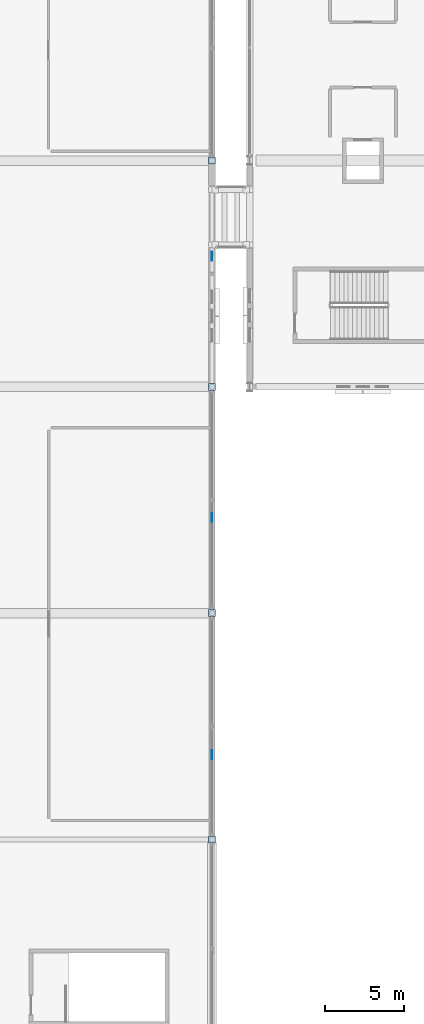
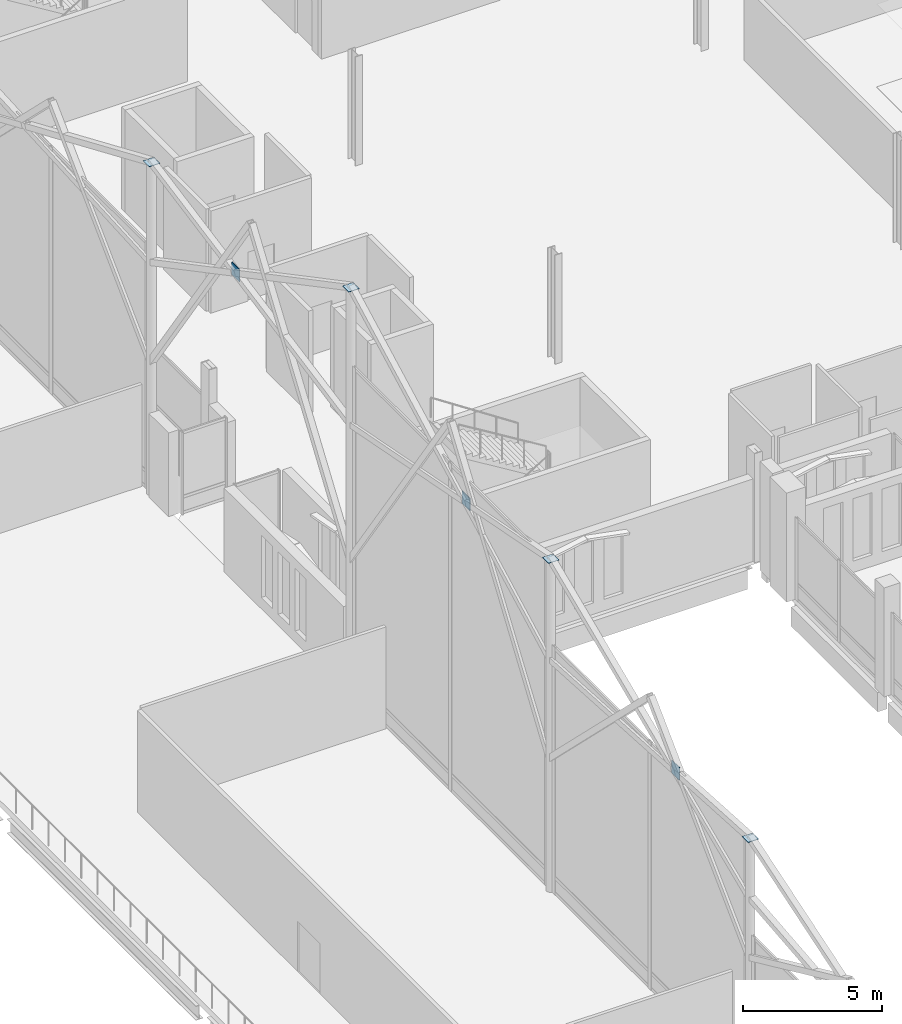
# One storey, part 142 of 220: 7 plates.
"""IFC4 building model written with IfcOpenShell, lengths in metres."""

from ifc_helpers import new_model, si_unit, direction, frame, origin, origin_2d, place, context, subcontext, project, spatial, rectangle, extrude, material, layer, layer_set, type_object, element, save


model = new_model("IFC4")

# Units and contexts
model_context = context("Model", 3, precision=1e-05, world=origin(), true_north=direction((0.0, 1.0)))
body_context = subcontext(model_context, "Body", "Model", "MODEL_VIEW")
ifc_project = project(units=[si_unit("LENGTHUNIT", "METRE"), si_unit("AREAUNIT", "SQUARE_METRE"), si_unit("VOLUMEUNIT", "CUBIC_METRE"), si_unit("PLANEANGLEUNIT", "RADIAN"), si_unit("MASSUNIT", "GRAM", prefix="KILO")], contexts=[model_context])

# Site, building, storey
site_placement = place(None, origin())
site = spatial("IfcSite", under=ifc_project, at=site_placement, CompositionType="ELEMENT")
building_placement = place(site_placement, origin())
building = spatial("IfcBuilding", under=site, at=building_placement, Name="Cendralis Lancet Convention Centre", CompositionType="ELEMENT")
storey_placement = place(building_placement, frame((0.0, 0.0, 5.39990234375)))
storey = spatial("IfcBuildingStorey", under=building, at=storey_placement, Name="L01", CompositionType="ELEMENT", Elevation=5.39990234375)

# Plates
ifc_material = material(Name="Steel S355", Category="steel")
ifc_layer_1 = layer(ifc_material, 0.02001953125, Name="Steel S355")
ifc_layer_set_1 = layer_set([ifc_layer_1], Name="Steel S355")
plate_type_1 = type_object("IfcPlateType", Name="STR-PL-CC20", PredefinedType="USERDEFINED", material=ifc_layer_set_1)
for number, where, z_axis, x_axis, name in (
    (1, (122.39990234375, 64.800048828125, 11.0009765625), (0.0, 0.0, 1.0), (1.0, 0.0, 0.0), "Hollow Column Top Cap Plate L01 #002"),
    (2, (122.39990234375, 79.199951171875, 14.55615234375), (0.0, 0.0, 1.0), (1.0, 0.0, 0.0), "Hollow Column Top Cap Plate L01 #004"),
    (3, (122.39990234375, 93.60009765625, 17.774169921875), (0.0, 0.0, 1.0), (1.0, 0.0, 0.0), "Hollow Column Top Cap Plate L01 #006"),
    (4, (122.39990234375, 108.0, 14.55615234375), (0.0, 0.0, 1.0), (1.0, 0.0, 0.0), "Hollow Column Top Cap Plate L01 #008"),
):
    element("IfcPlate", number, at=place(storey_placement, frame(where, z_axis=z_axis, x_axis=x_axis)), inside=storey, type_object=plate_type_1, Name=name, ObjectType="GUSSET PLATE", PredefinedType="USERDEFINED", context=body_context, shape_type="SweptSolid", body=[
        extrude(rectangle(XDim=0.43994140625, YDim=0.43994140625, at=origin_2d()), origin(), (0.0, 0.0, 1.0), 0.02001953125),
    ])
ifc_layer_2 = layer(ifc_material, 0.028076171875, Name="Steel S355")
ifc_layer_set_2 = layer_set([ifc_layer_2], Name="Steel S355")
plate_type_2 = type_object("IfcPlateType", Name="STR-PL-GP28B", PredefinedType="USERDEFINED", material=ifc_layer_set_2)
for number, where, z_axis, x_axis, name in (
    (5, (122.39990234375, 70.17919921875, 10.454345703125), (0.0, 0.0, 1.0), (0.0, 1.0, 0.0), "Gable X-Brace Crossing Gusset Node Plate GP-28B 122-64"),
    (6, (122.39990234375, 85.287841796875, 13.14501953125), (0.0, 0.0, 1.0), (0.0, 1.0, 0.0), "Gable X-Brace Crossing Gusset Node Plate GP-28B 122-79"),
    (7, (122.39990234375, 101.912109375, 13.14501953125), (0.0, 0.0, 1.0), (0.0, 1.0, 0.0), "Gable X-Brace Crossing Gusset Node Plate GP-28B 122-93"),
):
    element("IfcPlate", number, at=place(storey_placement, frame(where, z_axis=z_axis, x_axis=x_axis)), inside=storey, type_object=plate_type_2, Name=name, ObjectType="GUSSET PLATE", PredefinedType="USERDEFINED", context=body_context, shape_type="SweptSolid", body=[
        extrude(rectangle(XDim=0.56005859375, YDim=0.028076171875, at=origin_2d()), origin(), (0.0, 0.0, 1.0), 0.56005859375),
    ])

save(model, "model.ifc")
